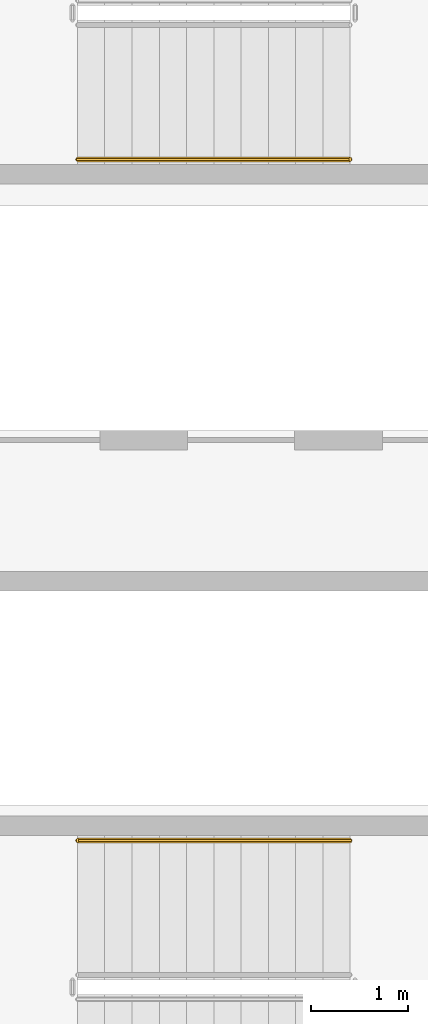
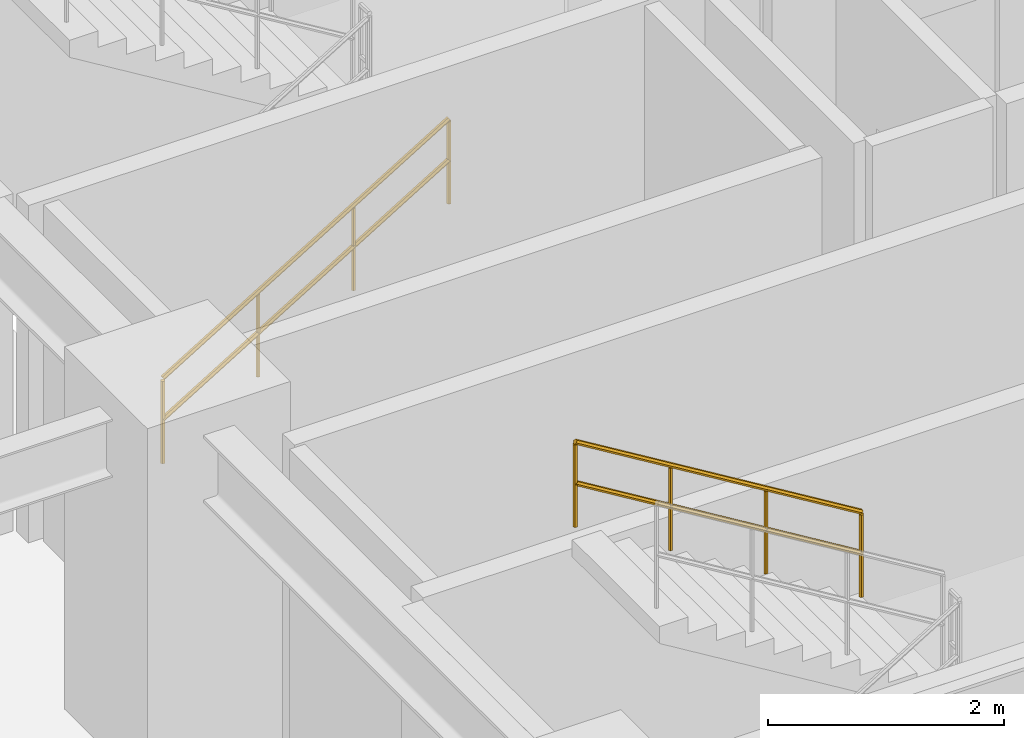
# One storey, part 31 of 34: 2 railings.
"""IFC4 building model written with IfcOpenShell, lengths in metres."""

from ifc_helpers import new_model, si_unit, direction, frame, origin, place, context, subcontext, project, spatial, polyline, outline, extrude, material, type_object, element, save


model = new_model("IFC4")

# Units and contexts
model_context = context("Model", 3, precision=1e-05, world=origin(), true_north=direction((0.0, 1.0)))
body_context = subcontext(model_context, "Body", "Model", "MODEL_VIEW")
ifc_project = project(units=[si_unit("LENGTHUNIT", "METRE"), si_unit("AREAUNIT", "SQUARE_METRE"), si_unit("VOLUMEUNIT", "CUBIC_METRE"), si_unit("PLANEANGLEUNIT", "RADIAN"), si_unit("MASSUNIT", "GRAM", prefix="KILO")], contexts=[model_context])

# Site, building, storey
site_placement = place(None, origin())
site = spatial("IfcSite", under=ifc_project, at=site_placement, CompositionType="ELEMENT")
building_placement = place(site_placement, origin())
building = spatial("IfcBuilding", under=site, at=building_placement, Name="Kelanora Arch Commons", CompositionType="ELEMENT")
storey_placement = place(building_placement, frame((0.0, 0.0, 30.0)))
storey = spatial("IfcBuildingStorey", under=building, at=storey_placement, Name="L07", CompositionType="ELEMENT", Elevation=30.0)

# Railings
ifc_material = material(Name="Brushed stainless steel stair handrail", Category="steel")
railing_type = type_object("IfcRailingType", Name="RAIL-STAIR-HND", PredefinedType="HANDRAIL", material=ifc_material)
railing_1_placement = place(storey_placement, frame((67.719970703125, 61.22998046875, 0.17041015625)))
element("IfcRailing", 1, at=railing_1_placement, inside=storey, type_object=railing_type, Name="L07 ST-T1 stair handrail 1", PredefinedType="HANDRAIL", context=body_context, shape_type="SweptSolid", body=[
    extrude(outline(polyline([(0.02392578125, 0.0), (0.011962890625, 0.020751953125), (-0.011962890625, 0.020751953125), (-0.02392578125, 0.0), (-0.011962890625, -0.020751953125), (0.011962890625, -0.020751953125), (0.02392578125, 0.0)])), frame((0.0, 0.0, 0.8759765625), z_axis=(0.854169791009, 0.0, 0.51999420009), x_axis=(0.0, 1.0, 0.0)), (0.0, 0.0, 1.0), 3.278076171875),
    extrude(outline(polyline([(0.02392578125, 0.0), (0.011962890625, 0.020751953125), (-0.011962890625, 0.020751953125), (-0.02392578125, 0.0), (-0.011962890625, -0.020751953125), (0.011962890625, -0.020751953125), (0.02392578125, 0.0)])), frame((0.0, 0.0, 0.449951171875), z_axis=(0.854169791009, 0.0, 0.51999420009), x_axis=(0.0, 1.0, 0.0)), (0.0, 0.0, 1.0), 3.278076171875),
    extrude(outline(polyline([(0.02099609375, 0.0), (0.010498046875, 0.01806640625), (-0.010498046875, 0.01806640625), (-0.02099609375, 0.0), (-0.010498046875, -0.01806640625), (0.010498046875, -0.01806640625), (0.02099609375, 0.0)])), origin(), (0.0, 0.0, 1.0), 0.851806640625),
    extrude(outline(polyline([(0.02099609375, 0.0), (0.010498046875, 0.01806640625), (-0.010498046875, 0.01806640625), (-0.02099609375, 0.0), (-0.010498046875, -0.01806640625), (0.010498046875, -0.01806640625), (0.02099609375, 0.0)])), frame((0.933349609375, 0.0, 0.568115234375)), (0.0, 0.0, 1.0), 0.851806640625),
    extrude(outline(polyline([(0.02099609375, 0.0), (0.010498046875, 0.01806640625), (-0.010498046875, 0.01806640625), (-0.02099609375, 0.0), (-0.010498046875, -0.01806640625), (0.010498046875, -0.01806640625), (0.02099609375, 0.0)])), frame((1.86669921875, 0.0, 1.136474609375)), (0.0, 0.0, 1.0), 0.851806640625),
    extrude(outline(polyline([(0.02099609375, 0.0), (0.010498046875, 0.01806640625), (-0.010498046875, 0.01806640625), (-0.02099609375, 0.0), (-0.010498046875, -0.01806640625), (0.010498046875, -0.01806640625), (0.02099609375, 0.0)])), frame((2.800048828125, 0.0, 1.70458984375)), (0.0, 0.0, 1.0), 0.851806640625),
])
railing_2_placement = place(storey_placement, frame((70.52001953125, 54.239990234375, 2.04541015625)))
element("IfcRailing", 2, at=railing_2_placement, inside=storey, type_object=railing_type, Name="L07 ST-T3 stair handrail 2", PredefinedType="HANDRAIL", context=body_context, shape_type="SweptSolid", body=[
    extrude(outline(polyline([(0.02392578125, 0.0), (0.011962890625, 0.020751953125), (-0.011962890625, 0.020751953125), (-0.02392578125, 0.0), (-0.011962890625, -0.020751953125), (0.011962890625, -0.020751953125), (0.02392578125, 0.0)])), frame((0.0, 0.0, 0.8759765625), z_axis=(-0.854169791009, 0.0, 0.51999420009), x_axis=(0.0, -1.0, 0.0)), (0.0, 0.0, 1.0), 3.278076171875),
    extrude(outline(polyline([(0.02392578125, 0.0), (0.011962890625, 0.020751953125), (-0.011962890625, 0.020751953125), (-0.02392578125, 0.0), (-0.011962890625, -0.020751953125), (0.011962890625, -0.020751953125), (0.02392578125, 0.0)])), frame((0.0, 0.0, 0.449951171875), z_axis=(-0.854169791009, 0.0, 0.51999420009), x_axis=(0.0, -1.0, 0.0)), (0.0, 0.0, 1.0), 3.278076171875),
    extrude(outline(polyline([(0.02099609375, 0.0), (0.010498046875, 0.01806640625), (-0.010498046875, 0.01806640625), (-0.02099609375, 0.0), (-0.010498046875, -0.01806640625), (0.010498046875, -0.01806640625), (0.02099609375, 0.0)])), origin(), (0.0, 0.0, 1.0), 0.851806640625),
    extrude(outline(polyline([(0.02099609375, 0.0), (0.010498046875, 0.01806640625), (-0.010498046875, 0.01806640625), (-0.02099609375, 0.0), (-0.010498046875, -0.01806640625), (0.010498046875, -0.01806640625), (0.02099609375, 0.0)])), frame((-0.933349609375, 0.0, 0.568115234375)), (0.0, 0.0, 1.0), 0.851806640625),
    extrude(outline(polyline([(0.02099609375, 0.0), (0.010498046875, 0.01806640625), (-0.010498046875, 0.01806640625), (-0.02099609375, 0.0), (-0.010498046875, -0.01806640625), (0.010498046875, -0.01806640625), (0.02099609375, 0.0)])), frame((-1.86669921875, 0.0, 1.136474609375)), (0.0, 0.0, 1.0), 0.851806640625),
    extrude(outline(polyline([(0.02099609375, 0.0), (0.010498046875, 0.01806640625), (-0.010498046875, 0.01806640625), (-0.02099609375, 0.0), (-0.010498046875, -0.01806640625), (0.010498046875, -0.01806640625), (0.02099609375, 0.0)])), frame((-2.800048828125, 0.0, 1.70458984375)), (0.0, 0.0, 1.0), 0.851806640625),
])

save(model, "model.ifc")
